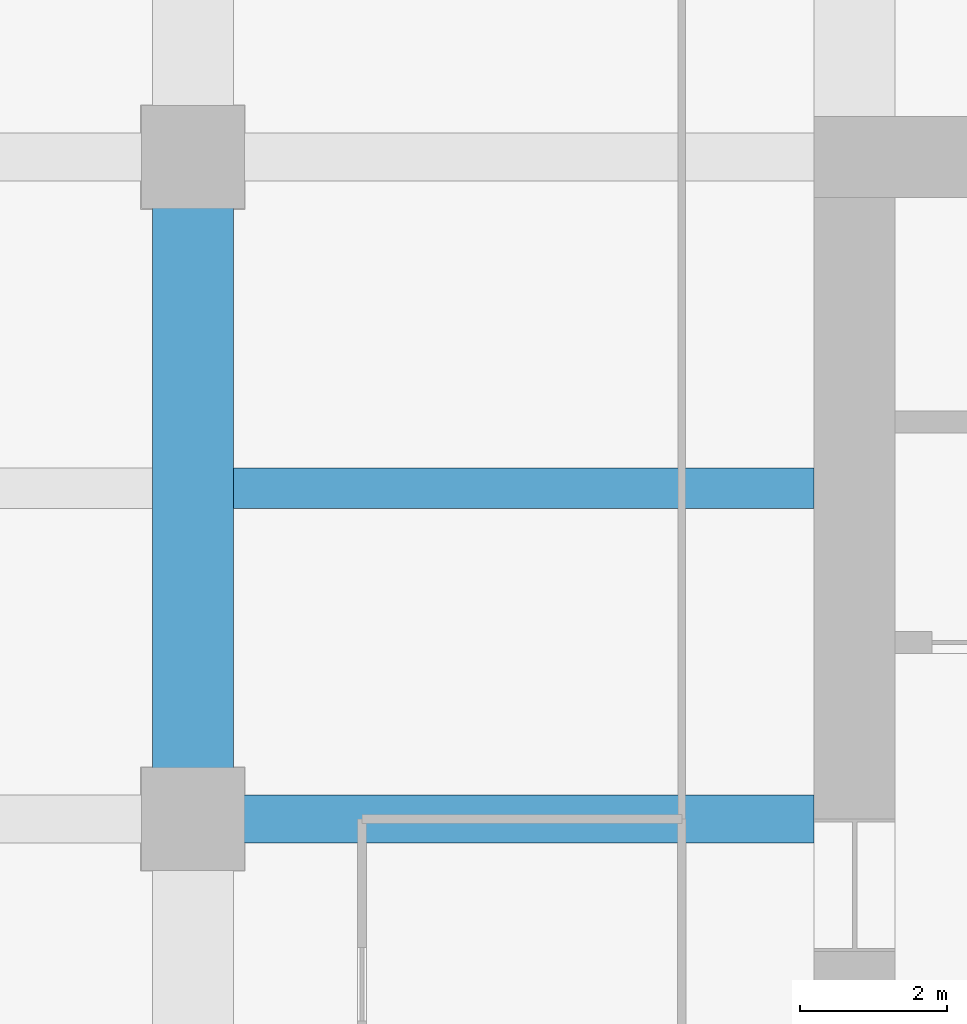
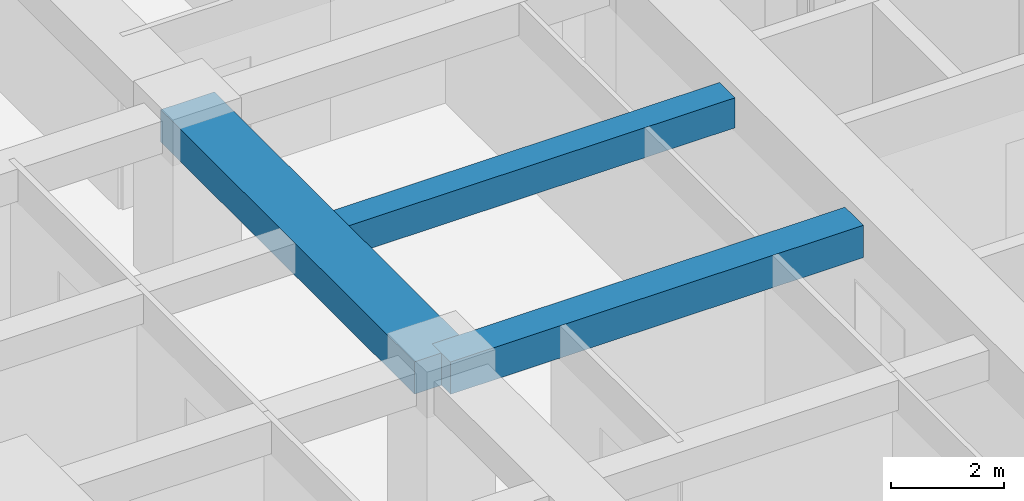
# One storey, part 12 of 34: 3 beams.
"""IFC4 building model written with IfcOpenShell, lengths in metres."""

from ifc_helpers import new_model, si_unit, direction, frame, origin, origin_2d, place, context, subcontext, project, spatial, rectangle, extrude, material, material_profile, profile_set, type_object, element, save


model = new_model("IFC4")

# Units and contexts
model_context = context("Model", 3, precision=1e-05, world=origin(), true_north=direction((0.0, 1.0)))
body_context = subcontext(model_context, "Body", "Model", "MODEL_VIEW")
ifc_project = project(units=[si_unit("LENGTHUNIT", "METRE"), si_unit("AREAUNIT", "SQUARE_METRE"), si_unit("VOLUMEUNIT", "CUBIC_METRE"), si_unit("PLANEANGLEUNIT", "RADIAN"), si_unit("MASSUNIT", "GRAM", prefix="KILO")], contexts=[model_context])

# Site, building, storey
site_placement = place(None, origin())
site = spatial("IfcSite", under=ifc_project, at=site_placement, CompositionType="ELEMENT")
building_placement = place(site_placement, origin())
building = spatial("IfcBuilding", under=site, at=building_placement, Name="Zorevar Civic Tower", CompositionType="ELEMENT")
storey_placement = place(building_placement, frame((0.0, 0.0, 214.199951171875)))
storey = spatial("IfcBuildingStorey", under=building, at=storey_placement, Name="L52", CompositionType="ELEMENT", Elevation=214.199951171875)

# Beams
ifc_material_1 = material(Name="Concrete C50/60", Category="concrete")
ifc_material_profile_1 = material_profile(ifc_material_1, rectangle(XDim=1.10009765625, YDim=0.699951171875, at=origin_2d()), Name="RC 1100x700")
ifc_profile_set_1 = profile_set([ifc_material_profile_1], Name="Concrete C50/60")
beam_type_1 = type_object("IfcBeamType", Name="Beam RC 1100x700", PredefinedType="BEAM", material=ifc_profile_set_1)
beam_1_placement = place(storey_placement, frame((9.0, 27.0, 3.400146484375), z_axis=(0.0, 1.0, 0.0), x_axis=(-1.0, 0.0, 0.0)))
element("IfcBeam", 1, at=beam_1_placement, inside=storey, type_object=beam_type_1, Name="Girder L53", PredefinedType="BEAM", context=body_context, shape_type="SweptSolid", body=[
    extrude(rectangle(XDim=1.10009765625, YDim=0.699951171875, at=origin_2d()), origin(), (0.0, 0.0, 1.0), 9.0),
])
ifc_material_2 = material(Name="Concrete C50/60", Category="concrete")
ifc_material_profile_2 = material_profile(ifc_material_2, rectangle(XDim=0.550048828125, YDim=0.64990234375, at=origin_2d()), Name="RC 550x650")
ifc_profile_set_2 = profile_set([ifc_material_profile_2], Name="Concrete C50/60")
beam_type_2 = type_object("IfcBeamType", Name="Beam RC 550x650", PredefinedType="BEAM", material=ifc_profile_set_2)
beam_2_placement = place(storey_placement, frame((9.550048828125, 31.5, 3.425048828125), z_axis=(1.0, 0.0, 0.0), x_axis=(0.0, 1.0, 0.0)))
element("IfcBeam", 2, at=beam_2_placement, inside=storey, type_object=beam_type_2, Name="Secondary beam L53", PredefinedType="BEAM", context=body_context, shape_type="SweptSolid", body=[
    extrude(rectangle(XDim=0.550048828125, YDim=0.64990234375, at=origin_2d()), origin(), (0.0, 0.0, 1.0), 7.89990234375),
])
ifc_material_3 = material(Name="Concrete C50/60", Category="concrete")
ifc_material_profile_3 = material_profile(ifc_material_3, rectangle(XDim=0.64990234375, YDim=0.699951171875, at=origin_2d()), Name="RC 650x700")
ifc_profile_set_3 = profile_set([ifc_material_profile_3], Name="Concrete C50/60")
beam_type_3 = type_object("IfcBeamType", Name="Beam RC 650x700", PredefinedType="BEAM", material=ifc_profile_set_3)
beam_3_placement = place(storey_placement, frame((9.0, 27.0, 3.400146484375), z_axis=(1.0, 0.0, 0.0), x_axis=(0.0, 1.0, 0.0)))
element("IfcBeam", 3, at=beam_3_placement, inside=storey, type_object=beam_type_3, Name="Girder L53", PredefinedType="BEAM", context=body_context, shape_type="SweptSolid", body=[
    extrude(rectangle(XDim=0.64990234375, YDim=0.699951171875, at=origin_2d()), origin(), (0.0, 0.0, 1.0), 8.449951171875),
])

save(model, "model.ifc")
